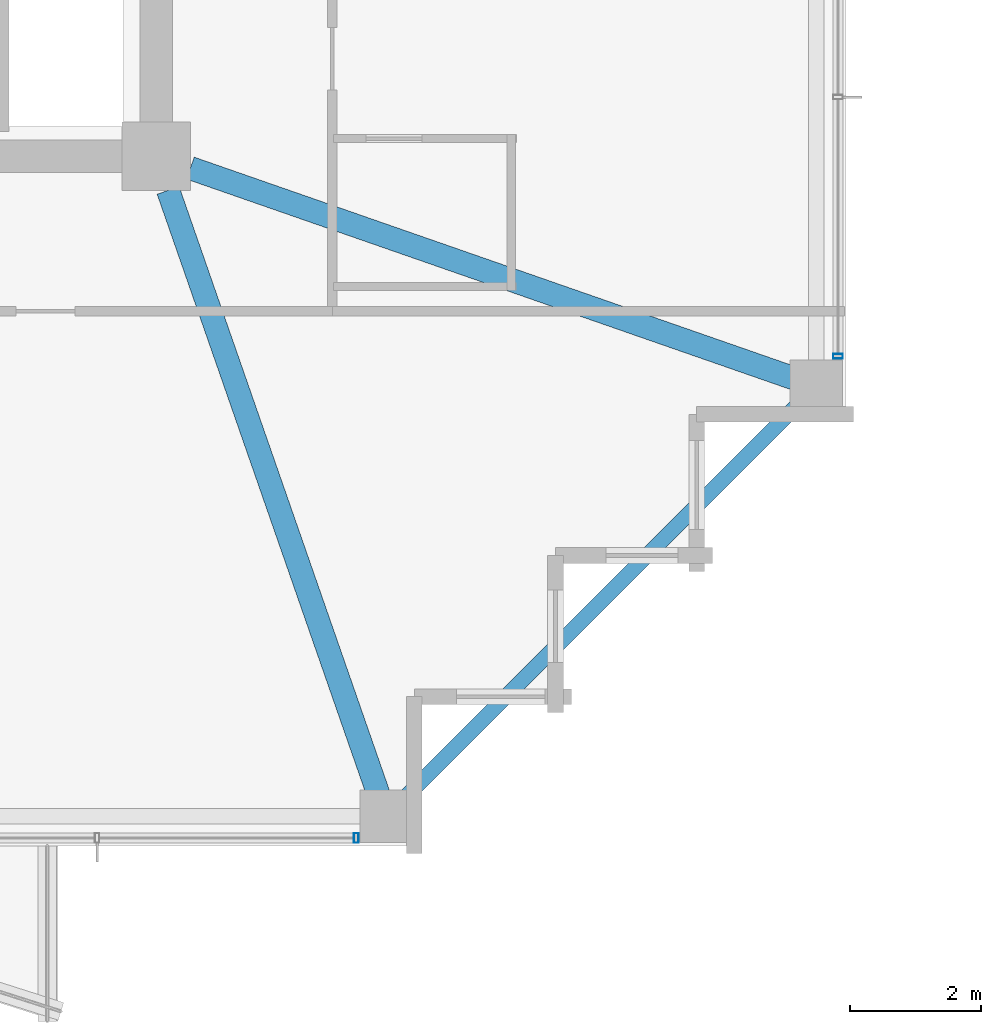
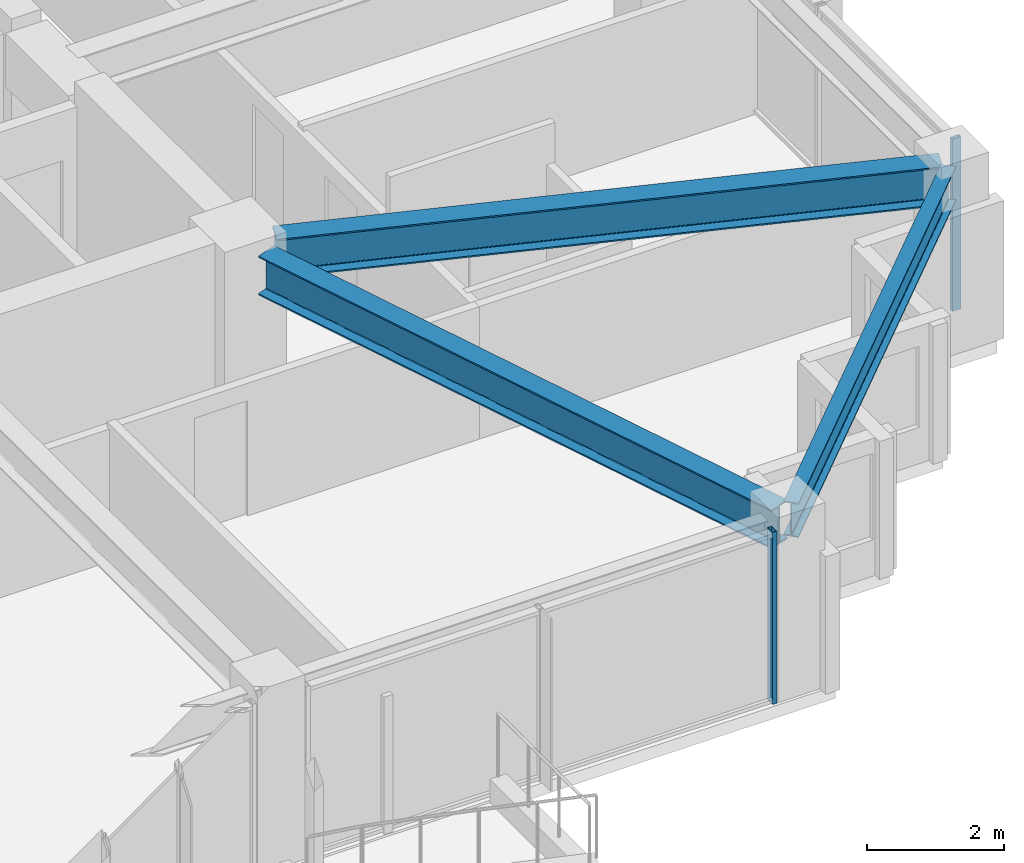
# One storey, part 12 of 38: 3 beams, 2 members, 2 elements without a shape of their own.
"""IFC4 building model written with IfcOpenShell, lengths in metres."""

import ifcopenshell
import ifcopenshell.guid

model = None  # the IFC model being written
_history = None  # IfcOwnerHistory: only IFC2X3 demands one
_inside = {}  # id of a spatial element -> (the spatial element, [elements in it])
_under = {}  # id of a project, library or spatial element -> (it, [spatial elements below it])
_declared = {}  # id of a project -> (the project, [libraries it declares])
_typed = {}  # id of a type object -> (the type object, [elements of that type])
_made_of = {}  # id of a material, layer set ... -> (it, [elements and type objects made of it])


def new_model(schema):
    """Start an empty IFC model of exactly this schema.

    Asked for "IFC4X3", IfcOpenShell would pick the latest addendum, in which some entities
    have other attributes; the version numbers below select the first issue.
    IFC2X3 requires an IfcOwnerHistory on every rooted entity: one is made here for all.
    """
    global model, _history
    if schema == "IFC4X3":
        model = ifcopenshell.file(schema_version=(4, 3, 0, 0))
    else:
        model = ifcopenshell.file(schema=schema)
    _inside.clear()
    _under.clear()
    _declared.clear()
    _typed.clear()
    _made_of.clear()
    _history = None
    if model.schema == "IFC2X3":
        org = make("IfcOrganization", Name="unknown")
        user = make(
            "IfcPersonAndOrganization",
            ThePerson=make("IfcPerson", FamilyName="unknown"),
            TheOrganization=org,
        )
        app = make(
            "IfcApplication",
            ApplicationDeveloper=org,
            Version="unknown",
            ApplicationFullName="unknown",
            ApplicationIdentifier="unknown",
        )
        _history = make(
            "IfcOwnerHistory",
            OwningUser=user,
            OwningApplication=app,
            ChangeAction="ADDED",
            CreationDate=0,
        )
    return model


def make(cls, **values):
    """One entity of the class cls with the attributes given. An attribute that is None is left unset."""
    return model.create_entity(
        cls, **{name: value for name, value in values.items() if value is not None}
    )


def rooted(cls, **values):
    """An entity with a GlobalId (a new one), such as an element, a storey or a relation."""
    return make(cls, GlobalId=ifcopenshell.guid.new(), OwnerHistory=_history, **values)


def si_unit(unit_type, name, prefix=None):
    """IfcSIUnit, for example si_unit("LENGTHUNIT", "METRE", prefix="MILLI")."""
    return make("IfcSIUnit", UnitType=unit_type, Prefix=prefix, Name=name)


def assignment(units):
    """IfcUnitAssignment: the units of a project."""
    return None if units is None else make("IfcUnitAssignment", Units=units)


def point(xyz):
    """IfcCartesianPoint."""
    return None if xyz is None else make("IfcCartesianPoint", Coordinates=xyz)


def direction(xyz):
    """IfcDirection."""
    return None if xyz is None else make("IfcDirection", DirectionRatios=xyz)


def frame(location, z_axis=None, x_axis=None):
    """IfcAxis2Placement3D, a coordinate frame: its origin and axes. An axis left out is left unset."""
    return make(
        "IfcAxis2Placement3D",
        Location=point(location),
        Axis=direction(z_axis),
        RefDirection=direction(x_axis),
    )


def frame_2d(location, x_axis=None):
    """IfcAxis2Placement2D, a coordinate frame in the plane: its origin and x axis."""
    return make(
        "IfcAxis2Placement2D", Location=point(location), RefDirection=direction(x_axis)
    )


def origin():
    """The frame at (0, 0, 0) with its axes left unset."""
    return frame((0.0, 0.0, 0.0))


def origin_2d():
    """The frame at (0, 0) in the plane with its x axis left unset."""
    return frame_2d((0.0, 0.0))


def place(relative_to, where):
    """IfcLocalPlacement: puts the frame where relative to a parent placement (None: the world)."""
    return make(
        "IfcLocalPlacement", PlacementRelTo=relative_to, RelativePlacement=where
    )


def context(
    kind, dimensions, precision=None, world=None, true_north=None, identifier=None
):
    """IfcGeometricRepresentationContext, for example the 3D "Model" context."""
    return make(
        "IfcGeometricRepresentationContext",
        ContextIdentifier=identifier,
        ContextType=kind,
        CoordinateSpaceDimension=dimensions,
        Precision=precision,
        WorldCoordinateSystem=world,
        TrueNorth=true_north,
    )


def subcontext(parent, identifier, kind, view, scale=None):
    """IfcGeometricRepresentationSubContext, for example "Body" below "Model"."""
    return make(
        "IfcGeometricRepresentationSubContext",
        ContextIdentifier=identifier,
        ContextType=kind,
        ParentContext=parent,
        TargetScale=scale,
        TargetView=view,
    )


def project(units=None, contexts=None):
    """IfcProject with its units and contexts."""
    return rooted(
        "IfcProject",
        Name="project",
        RepresentationContexts=contexts,
        UnitsInContext=assignment(units),
    )


def spatial(cls, under=None, at=None, **own):
    """A site, building, storey or space (cls), placed at a placement, below another one or the project."""
    s = rooted(cls, ObjectPlacement=at, **own)
    if under is not None:
        _under.setdefault(under.id(), (under, []))[1].append(s)
    return s


def profile(cls, at=None, kind="AREA", **sizes):
    """A parametric profile (cls). Its sizes go by their IFC names, for example OverallWidth=200.0."""
    return make(cls, ProfileType=kind, Position=at, **sizes)


def hollow_rectangle(**sizes):
    """IfcRectangleHollowProfileDef."""
    return profile("IfcRectangleHollowProfileDef", **sizes)


def i_section(**sizes):
    """IfcIShapeProfileDef."""
    return profile("IfcIShapeProfileDef", **sizes)


def extrude(swept, where, along, depth):
    """IfcExtrudedAreaSolid: the profile swept, set in the frame where, extruded along a direction by depth."""
    return make(
        "IfcExtrudedAreaSolid",
        SweptArea=swept,
        Position=where,
        ExtrudedDirection=direction(along),
        Depth=depth,
    )


def shape(context_of_items, identifier, shape_type, items):
    """IfcShapeRepresentation: the items that make up one representation, for example the "Body"."""
    return make(
        "IfcShapeRepresentation",
        ContextOfItems=context_of_items,
        RepresentationIdentifier=identifier,
        RepresentationType=shape_type,
        Items=items,
    )


def material(Name=None, Category=None):
    """IfcMaterial."""
    return make("IfcMaterial", Name=Name, Category=Category)


def material_profile(
    of_material, cross_section, Name=None, Category=None, Priority=None
):
    """IfcMaterialProfile: a cross section and its material."""
    return make(
        "IfcMaterialProfile",
        Name=Name,
        Material=of_material,
        Profile=cross_section,
        Priority=Priority,
        Category=Category,
    )


def profile_set(profiles, Name=None, composite=None):
    """IfcMaterialProfileSet."""
    return make(
        "IfcMaterialProfileSet",
        Name=Name,
        MaterialProfiles=profiles,
        CompositeProfile=composite,
    )


def made_of(thing, what):
    """Note that an element or type object is made of a material, layer set ...; save() writes the relation."""
    if what is not None:
        _made_of.setdefault(what.id(), (what, []))[1].append(thing)
    return thing


def type_object(cls, material=None, **own):
    """A type object (cls), such as IfcWallType, which elements share."""
    return made_of(rooted(cls, **own), material)


def element(
    cls,
    number,
    at=None,
    inside=None,
    cuts=None,
    type_object=None,
    material=None,
    context=None,
    identifier="Body",
    shape_type=None,
    held_by="IfcProductDefinitionShape",
    body=None,
    shapes=None,
    **own,
):
    """One element of the class cls, such as IfcWall. Its Tag is "e" and its number.

    at: its placement. inside: the storey or other place that contains it. cuts: it is an
    opening in that element (IfcRelVoidsElement). A single representation is given by context,
    identifier, shape_type and body (its items); several are given by shapes. held_by: the class
    of the entity that holds the representations. save() writes the other relations.
    """
    e = rooted(cls, Tag="e%d" % number, ObjectPlacement=at, **own)
    if body is not None:
        shapes = [shape(context, identifier, shape_type, body)]
    if shapes is not None:
        e.Representation = make(held_by, Representations=shapes)
    if inside is not None:
        _inside.setdefault(inside.id(), (inside, []))[1].append(e)
    if cuts is not None:
        rooted(
            "IfcRelVoidsElement", RelatingBuildingElement=cuts, RelatedOpeningElement=e
        )
    if type_object is not None:
        _typed.setdefault(type_object.id(), (type_object, []))[1].append(e)
    return made_of(e, material)


def aggregate(whole, parts):
    """IfcRelAggregates: a whole, such as a stair, and the parts it consists of."""
    return rooted("IfcRelAggregates", RelatingObject=whole, RelatedObjects=parts)


def save(model, path):
    """Write the relations noted so far, then the file.

    IfcRelAggregates (storeys below a building ...), IfcRelContainedInSpatialStructure (elements
    in a storey), IfcRelDefinesByType, IfcRelAssociatesMaterial and IfcRelDeclares: one each for
    every whole, place, type object, material and project.
    """
    for whole, parts in _under.values():
        aggregate(whole, parts)
    for where, things in _inside.values():
        rooted(
            "IfcRelContainedInSpatialStructure",
            RelatedElements=things,
            RelatingStructure=where,
        )
    for kind, things in _typed.values():
        rooted("IfcRelDefinesByType", RelatedObjects=things, RelatingType=kind)
    for what, things in _made_of.values():
        rooted("IfcRelAssociatesMaterial", RelatedObjects=things, RelatingMaterial=what)
    for by, libraries in _declared.values():
        rooted("IfcRelDeclares", RelatingContext=by, RelatedDefinitions=libraries)
    model.write(path)


model = new_model("IFC4")

# Units and contexts
model_context = context("Model", 3, precision=1e-05, world=origin(), true_north=direction((0.0, 1.0)))
body_context = subcontext(model_context, "Body", "Model", "MODEL_VIEW")
ifc_project = project(units=[si_unit("LENGTHUNIT", "METRE"), si_unit("AREAUNIT", "SQUARE_METRE"), si_unit("VOLUMEUNIT", "CUBIC_METRE"), si_unit("PLANEANGLEUNIT", "RADIAN"), si_unit("MASSUNIT", "GRAM", prefix="KILO")], contexts=[model_context])

# Site, building, storey
site_placement = place(None, origin())
site = spatial("IfcSite", under=ifc_project, at=site_placement, CompositionType="ELEMENT")
building_placement = place(site_placement, origin())
building = spatial("IfcBuilding", under=site, at=building_placement, Name="Kolvaren Belvedere", CompositionType="ELEMENT")
storey_placement = place(building_placement, frame((0.0, 0.0, 206.39990234375)))
storey = spatial("IfcBuildingStorey", under=building, at=storey_placement, Name="L60", CompositionType="ELEMENT", Elevation=206.39990234375)

# Beams
ifc_material_1 = material(Name="Structural steel ASTM A992 Grade 50", Category="steel")
ifc_material_profile_1 = material_profile(ifc_material_1, i_section(OverallWidth=0.35498046875, OverallDepth=0.696044921875, WebThickness=0.015380859375, FlangeThickness=0.02490234375, FilletRadius=0.02197265625, at=origin_2d()), Name="W27X146")
ifc_profile_set_1 = profile_set([ifc_material_profile_1], Name="Structural steel ASTM A992 Grade 50")
beam_type_1 = type_object("IfcBeamType", Name="BM-GIRD-W27X146", PredefinedType="BEAM", material=ifc_profile_set_1)
for number, where, z_axis, x_axis, name in (
    (1, (10.080810546875, -10.41943359375, 2.732177734375), (0.328898147971, -0.944365399758, 0.0), (0.944365399758, 0.328898147971, 0.0), "L60 Corner Core-to-Perimeter Girder CC2-S4"),
    (2, (10.41943359375, -10.080810546875, 2.732177734375), (0.944365399758, -0.328898147971, 0.0), (0.328898147971, 0.944365399758, 0.0), "L60 Corner Core-to-Perimeter Girder CC2-E1"),
):
    element("IfcBeam", number, at=place(storey_placement, frame(where, z_axis=z_axis, x_axis=x_axis)), inside=storey, type_object=beam_type_1, Name=name, PredefinedType="BEAM", context=body_context, shape_type="SweptSolid", body=[
        extrude(i_section(OverallWidth=0.35498046875, OverallDepth=0.696044921875, WebThickness=0.015380859375, FlangeThickness=0.02490234375, FilletRadius=0.02197265625, at=origin_2d()), origin(), (0.0, 0.0, 1.0), 9.931884765625),
    ])
ifc_material_2 = material(Name="Structural steel ASTM A992 Grade 50", Category="steel")
ifc_material_profile_2 = material_profile(ifc_material_2, i_section(OverallWidth=0.22900390625, OverallDepth=0.612060546875, WebThickness=0.011962890625, FlangeThickness=0.01953125, FilletRadius=0.01806640625, at=origin_2d()), Name="W24X84")
ifc_profile_set_2 = profile_set([ifc_material_profile_2], Name="Structural steel ASTM A992 Grade 50")
beam_type_2 = type_object("IfcBeamType", Name="BM-SPAN-W24X84", PredefinedType="SPANDREL", material=ifc_profile_set_2)
beam_placement = place(storey_placement, frame((13.52734375, -19.82275390625, 2.774169921875), z_axis=(0.707106781187, 0.707106781187, 0.0), x_axis=(-0.707106781187, 0.707106781187, 0.0)))
element("IfcBeam", 3, at=beam_placement, inside=storey, type_object=beam_type_2, Name="L60 Perimeter Spandrel S4-E1", PredefinedType="SPANDREL", context=body_context, shape_type="SweptSolid", body=[
    extrude(i_section(OverallWidth=0.22900390625, OverallDepth=0.612060546875, WebThickness=0.011962890625, FlangeThickness=0.01953125, FilletRadius=0.01806640625, at=origin_2d()), origin(), (0.0, 0.0, 1.0), 8.903076171875),
])

# Curtain wall, member
ifc_material_3 = material(Name="Anodised pale-metal aluminium AA 6063-T6", Category="aluminium")
curtain_wall_type = type_object("IfcCurtainWallType", Name="CW-Z5-HIGH", PredefinedType="NOTDEFINED", material=ifc_material_3)
curtain_wall_1_placement = place(storey_placement, origin())
curtain_wall_1 = element("IfcCurtainWall", 4, at=curtain_wall_1_placement, inside=storey, type_object=curtain_wall_type, Name="L60 Unitised Curtain Wall FCW-L60-S1-B1", PredefinedType="NOTDEFINED")
ifc_material_4 = material(Name="Anodised pale-metal aluminium AA 6063-T6", Category="aluminium")
ifc_material_profile_3 = material_profile(ifc_material_4, hollow_rectangle(XDim=0.070068359375, YDim=0.14990234375, WallThickness=0.004150390625, at=origin_2d()), Name="ALU-MUL-150X70")
ifc_profile_set_3 = profile_set([ifc_material_profile_3], Name="Anodised pale-metal aluminium AA 6063-T6")
member_type = type_object("IfcMemberType", Name="CW-MUL-150", PredefinedType="MULLION", material=ifc_profile_set_3)
member_1_placement = place(storey_placement, frame((12.945068359375, -20.280029296875, 0.0), z_axis=(0.0, 0.0, 1.0), x_axis=(1.0, 0.0, 0.0)))
member_1 = element("IfcMember", 5, at=member_1_placement, type_object=member_type, Name="FCW-L60-S1-B1 Unitised Mullion 1", PredefinedType="MULLION", context=body_context, shape_type="SweptSolid", body=[
    extrude(hollow_rectangle(XDim=0.070068359375, YDim=0.14990234375, WallThickness=0.004150390625, at=origin_2d()), origin(), (0.0, 0.0, 1.0), 3.080078125),
])
aggregate(curtain_wall_1, [member_1])

curtain_wall_2_placement = place(storey_placement, origin())
curtain_wall_2 = element("IfcCurtainWall", 6, at=curtain_wall_2_placement, inside=storey, type_object=curtain_wall_type, Name="L60 Unitised Curtain Wall FCW-L60-E2-B2", PredefinedType="NOTDEFINED")
member_2_placement = place(storey_placement, frame((20.280029296875, -12.945068359375, 0.0), z_axis=(0.0, 0.0, 1.0), x_axis=(0.0, 1.0, 0.0)))
member_2 = element("IfcMember", 7, at=member_2_placement, type_object=member_type, Name="FCW-L60-E2-B2 Unitised Mullion 3", PredefinedType="MULLION", context=body_context, shape_type="SweptSolid", body=[
    extrude(hollow_rectangle(XDim=0.070068359375, YDim=0.14990234375, WallThickness=0.004150390625, at=origin_2d()), origin(), (0.0, 0.0, 1.0), 3.080078125),
])
aggregate(curtain_wall_2, [member_2])

save(model, "model.ifc")
